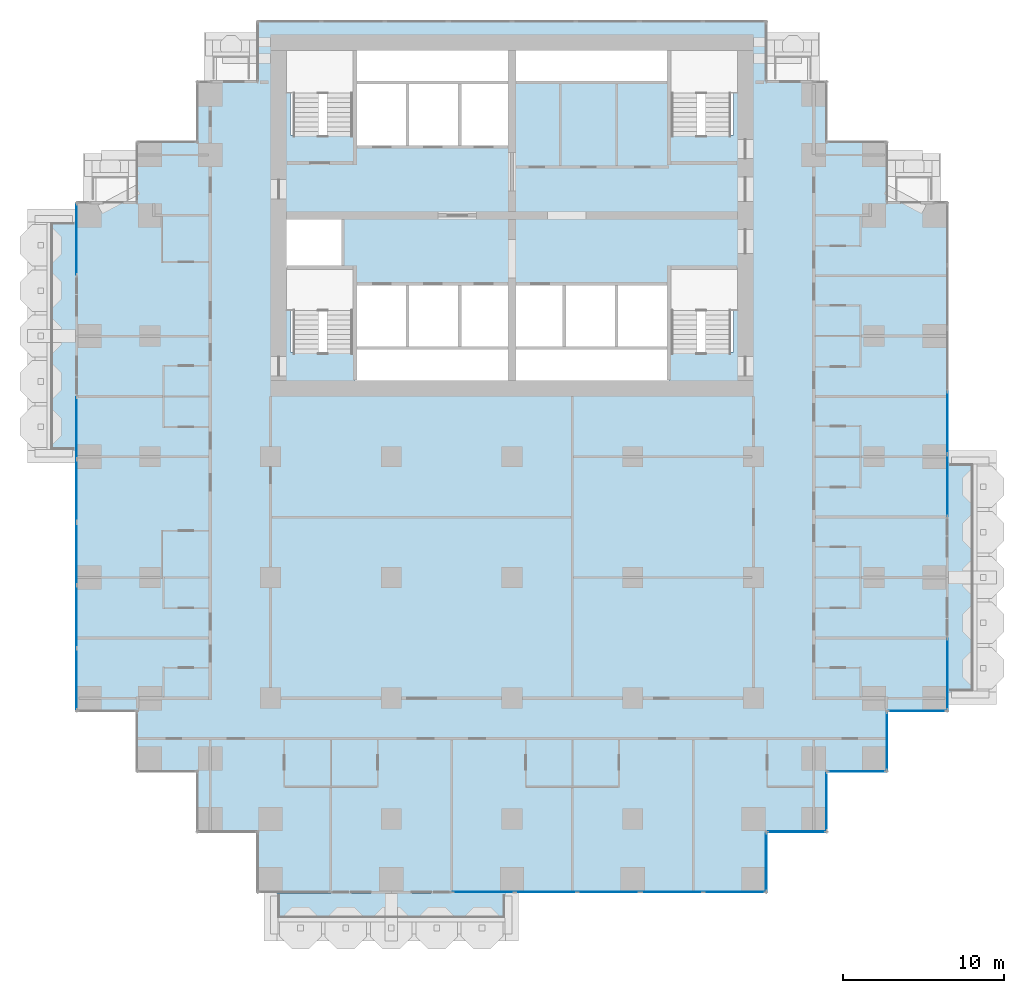
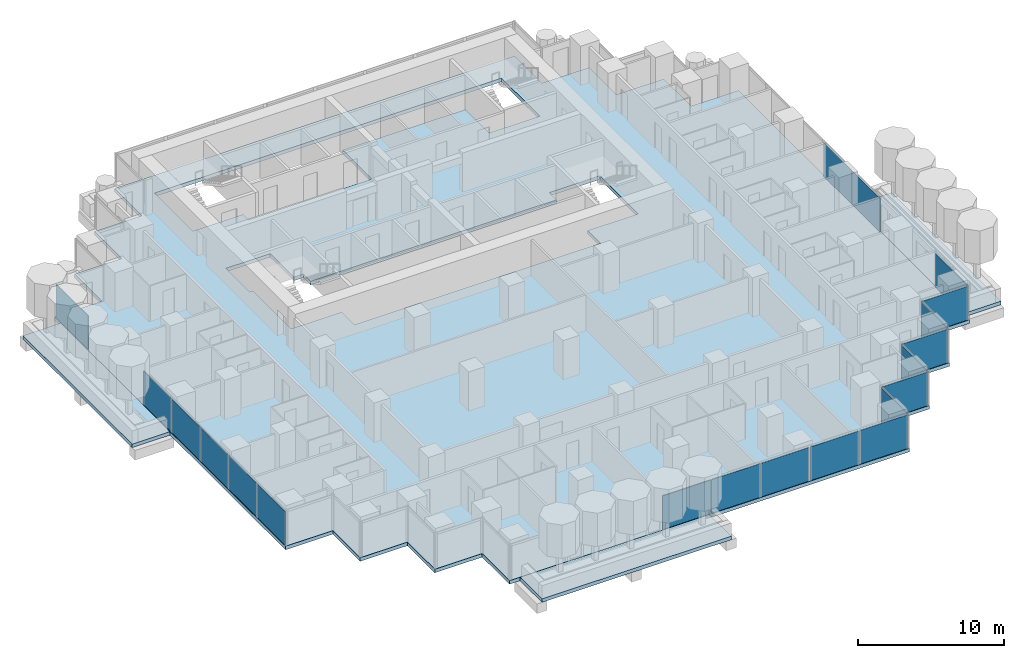
# One storey, part 8 of 18: 20 plates, 4 slabs, 13 elements without a shape of their own.
"""IFC4 building model written with IfcOpenShell, lengths in metres."""

from ifc_helpers import new_model, si_unit, direction, frame, origin, origin_2d, place, context, subcontext, project, spatial, polyline, rectangle, outline, extrude, material, layer, layer_set, type_object, element, aggregate, save


model = new_model("IFC4")

# Units and contexts
model_context = context("Model", 3, precision=1e-05, world=origin(), true_north=direction((0.0, 1.0)))
body_context = subcontext(model_context, "Body", "Model", "MODEL_VIEW")
ifc_project = project(units=[si_unit("LENGTHUNIT", "METRE"), si_unit("AREAUNIT", "SQUARE_METRE"), si_unit("VOLUMEUNIT", "CUBIC_METRE"), si_unit("PLANEANGLEUNIT", "RADIAN"), si_unit("MASSUNIT", "GRAM", prefix="KILO")], contexts=[model_context])

# Site, building, storey
site_placement = place(None, origin())
site = spatial("IfcSite", under=ifc_project, at=site_placement, CompositionType="ELEMENT")
building_placement = place(site_placement, origin())
building = spatial("IfcBuilding", under=site, at=building_placement, Name="Pilkhan Gate Tower", CompositionType="ELEMENT")
storey_placement = place(building_placement, frame((0.0, 0.0, 82.39990234375)))
storey = spatial("IfcBuildingStorey", under=building, at=storey_placement, Name="L19", CompositionType="ELEMENT", Elevation=82.39990234375)

# Slabs
ifc_material_1 = material(Name="Concrete C60/75", Category="concrete")
ifc_layer_1 = layer(ifc_material_1, 0.300048828125)
ifc_layer_set_1 = layer_set([ifc_layer_1], Name="Balcony tray slab TR300")
slab_type_1 = type_object("IfcSlabType", Name="Balcony tray slab TR300", PredefinedType="FLOOR", material=ifc_layer_set_1)
slab_1_placement = place(storey_placement, frame((0.0, 0.0, -0.2998046875)))
element("IfcSlab", 1, at=slab_1_placement, inside=storey, type_object=slab_type_1, Name="Balcony tray L19 S", PredefinedType="FLOOR", context=body_context, shape_type="SweptSolid", body=[
    extrude(outline(polyline([(75.0, 37.39990234375), (75.0, 40.39990234375), (60.0, 40.39990234375), (60.0, 37.39990234375), (75.0, 37.39990234375)])), origin(), (0.0, 0.0, 1.0), 0.2998046875),
])
slab_2_placement = place(storey_placement, frame((0.0, 0.0, -0.2998046875)))
element("IfcSlab", 2, at=slab_2_placement, inside=storey, type_object=slab_type_1, Name="Balcony tray L19 E", PredefinedType="FLOOR", context=body_context, shape_type="SweptSolid", body=[
    extrude(outline(polyline([(105.10009765625, 52.5), (105.10009765625, 67.5), (102.10009765625, 67.5), (102.10009765625, 52.5), (105.10009765625, 52.5)])), origin(), (0.0, 0.0, 1.0), 0.2998046875),
])
slab_3_placement = place(storey_placement, frame((0.0, 0.0, -0.2998046875)))
element("IfcSlab", 3, at=slab_3_placement, inside=storey, type_object=slab_type_1, Name="Balcony tray L19 W", PredefinedType="FLOOR", context=body_context, shape_type="SweptSolid", body=[
    extrude(outline(polyline([(47.89990234375, 67.5), (47.89990234375, 82.5), (44.89990234375, 82.5), (44.89990234375, 67.5), (47.89990234375, 67.5)])), origin(), (0.0, 0.0, 1.0), 0.2998046875),
])
ifc_material_2 = material(Name="Concrete C40/50", Category="concrete")
ifc_layer_2 = layer(ifc_material_2, 0.300048828125)
ifc_layer_set_2 = layer_set([ifc_layer_2], Name="Flat plate slab FP300")
slab_type_2 = type_object("IfcSlabType", Name="Flat plate slab FP300", PredefinedType="FLOOR", material=ifc_layer_set_2)
slab_4_placement = place(storey_placement, frame((0.0, 0.0, -0.2998046875)))
element("IfcSlab", 4, at=slab_4_placement, inside=storey, type_object=slab_type_2, Name="Floor slab L19", PredefinedType="FLOOR", context=body_context, shape_type="SweptSolid", body=[
    extrude(outline(polyline([(98.35009765625, 47.89990234375), (94.60009765625, 47.89990234375), (94.60009765625, 44.14990234375), (90.85009765625, 44.14990234375), (90.85009765625, 40.39990234375), (59.14990234375, 40.39990234375), (59.14990234375, 44.14990234375), (55.39990234375, 44.14990234375), (55.39990234375, 47.89990234375), (51.64990234375, 47.89990234375), (51.64990234375, 51.64990234375), (47.89990234375, 51.64990234375), (47.89990234375, 83.35009765625), (51.64990234375, 83.35009765625), (51.64990234375, 87.10009765625), (55.39990234375, 87.10009765625), (55.39990234375, 90.85009765625), (59.14990234375, 90.85009765625), (59.14990234375, 94.60009765625), (90.85009765625, 94.60009765625), (90.85009765625, 90.85009765625), (94.60009765625, 90.85009765625), (94.60009765625, 87.10009765625), (98.35009765625, 87.10009765625), (98.35009765625, 83.35009765625), (102.10009765625, 83.35009765625), (102.10009765625, 51.64990234375), (98.35009765625, 51.64990234375), (98.35009765625, 47.89990234375)]), holes=[polyline([(65.25, 87.5), (65.25, 86.75), (68.5, 86.75), (71.75, 86.75), (75.0, 86.75), (75.0, 90.75), (84.75, 90.75), (84.75, 87.5), (88.75, 87.5), (88.75, 92.75), (84.75, 92.75), (75.0, 92.75), (65.25, 92.75), (61.25, 92.75), (61.25, 87.5), (65.25, 87.5)]), polyline([(75.0, 72.25), (84.75, 72.25), (84.75, 74.0), (88.75, 74.0), (88.75, 79.25), (84.75, 79.25), (84.75, 78.25), (81.5, 78.25), (78.25, 78.25), (75.0, 78.25), (71.75, 78.25), (68.5, 78.25), (65.25, 78.25), (65.25, 79.25), (64.5, 79.25), (64.5, 82.5), (61.25, 82.5), (61.0, 82.5), (61.0, 79.25), (61.25, 79.25), (61.25, 74.0), (65.25, 74.0), (65.25, 72.25), (75.0, 72.25)])]), origin(), (0.0, 0.0, 1.0), 0.2998046875),
])

# Curtain wall, plate
ifc_material_3 = material(Name="Pale anodised aluminium, clear low-iron double glazing", Category="aluminium")
curtain_wall_type = type_object("IfcCurtainWallType", Name="Hotel unitised curtain wall CW-H", PredefinedType="USERDEFINED", material=ifc_material_3)
curtain_wall_1_placement = place(storey_placement, origin())
curtain_wall_1 = element("IfcCurtainWall", 5, at=curtain_wall_1_placement, inside=storey, type_object=curtain_wall_type, Name="Hotel unitised curtain wall CW-H L19 E", ObjectType="UNITISED CURTAIN WALL", PredefinedType="USERDEFINED")
ifc_material_4 = material(Name="Clear low-iron double glazing", Category="glass")
ifc_layer_3 = layer(ifc_material_4, 0.035888671875)
ifc_layer_set_3 = layer_set([ifc_layer_3], Name="Glass panel CW-H 36")
plate_type = type_object("IfcPlateType", Name="Glass panel CW-H 36", PredefinedType="CURTAIN_PANEL", material=ifc_layer_set_3)
plate_1_placement = place(storey_placement, frame((102.044921875, 53.9775390625, 0.0), z_axis=(0.0, 0.0, 1.0), x_axis=(0.0, 1.0, 0.0)))
plate_1 = element("IfcPlate", 6, at=plate_1_placement, type_object=plate_type, Name="CW-H panel 1", PredefinedType="CURTAIN_PANEL", context=body_context, shape_type="SweptSolid", body=[
    extrude(rectangle(XDim=4.4150390625, YDim=0.035888671875, at=origin_2d()), origin(), (0.0, 0.0, 1.0), 2.820068359375),
])
aggregate(curtain_wall_1, [plate_1])

# Curtain wall, plates
curtain_wall_2_placement = place(storey_placement, origin())
curtain_wall_2 = element("IfcCurtainWall", 7, at=curtain_wall_2_placement, inside=storey, type_object=curtain_wall_type, Name="Hotel unitised curtain wall CW-H L19 E", ObjectType="UNITISED CURTAIN WALL", PredefinedType="USERDEFINED")
plate_2_placement = place(storey_placement, frame((102.044921875, 65.720703125, 0.0), z_axis=(0.0, 0.0, 1.0), x_axis=(0.0, 1.0, 0.0)))
plate_2 = element("IfcPlate", 8, at=plate_2_placement, type_object=plate_type, Name="CW-H panel 1", PredefinedType="CURTAIN_PANEL", context=body_context, shape_type="SweptSolid", body=[
    extrude(rectangle(XDim=3.8115234375, YDim=0.035888671875, at=origin_2d()), origin(), (0.0, 0.0, 1.0), 2.820068359375),
])
plate_3_placement = place(storey_placement, frame((102.044921875, 69.613525390625, 0.0), z_axis=(0.0, 0.0, 1.0), x_axis=(0.0, 1.0, 0.0)))
plate_3 = element("IfcPlate", 9, at=plate_3_placement, type_object=plate_type, Name="CW-H panel 2", PredefinedType="CURTAIN_PANEL", context=body_context, shape_type="SweptSolid", body=[
    extrude(rectangle(XDim=3.843994140625, YDim=0.035888671875, at=origin_2d()), origin(), (0.0, 0.0, 1.0), 2.820068359375),
])
aggregate(curtain_wall_2, [plate_2, plate_3])

curtain_wall_3_placement = place(storey_placement, origin())
curtain_wall_3 = element("IfcCurtainWall", 10, at=curtain_wall_3_placement, inside=storey, type_object=curtain_wall_type, Name="Hotel unitised curtain wall CW-H L19 W", ObjectType="UNITISED CURTAIN WALL", PredefinedType="USERDEFINED")
plate_4_placement = place(storey_placement, frame((47.955078125, 53.67578125, 0.0), z_axis=(0.0, 0.0, 1.0), x_axis=(0.0, 1.0, 0.0)))
plate_4 = element("IfcPlate", 11, at=plate_4_placement, type_object=plate_type, Name="CW-H panel 1", PredefinedType="CURTAIN_PANEL", context=body_context, shape_type="SweptSolid", body=[
    extrude(rectangle(XDim=3.8115234375, YDim=0.035888671875, at=origin_2d()), origin(), (0.0, 0.0, 1.0), 2.820068359375),
])
plate_5_placement = place(storey_placement, frame((47.955078125, 57.568603515625, 0.0), z_axis=(0.0, 0.0, 1.0), x_axis=(0.0, 1.0, 0.0)))
plate_5 = element("IfcPlate", 12, at=plate_5_placement, type_object=plate_type, Name="CW-H panel 2", PredefinedType="CURTAIN_PANEL", context=body_context, shape_type="SweptSolid", body=[
    extrude(rectangle(XDim=3.843994140625, YDim=0.035888671875, at=origin_2d()), origin(), (0.0, 0.0, 1.0), 2.820068359375),
])
plate_6_placement = place(storey_placement, frame((47.955078125, 61.461181640625, 0.0), z_axis=(0.0, 0.0, 1.0), x_axis=(0.0, 1.0, 0.0)))
plate_6 = element("IfcPlate", 13, at=plate_6_placement, type_object=plate_type, Name="CW-H panel 3", PredefinedType="CURTAIN_PANEL", context=body_context, shape_type="SweptSolid", body=[
    extrude(rectangle(XDim=3.8115234375, YDim=0.035888671875, at=origin_2d()), origin(), (0.0, 0.0, 1.0), 2.820068359375),
])
aggregate(curtain_wall_3, [plate_4, plate_5, plate_6])

curtain_wall_4_placement = place(storey_placement, origin())
curtain_wall_4 = element("IfcCurtainWall", 14, at=curtain_wall_4_placement, inside=storey, type_object=curtain_wall_type, Name="Hotel unitised curtain wall CW-H L19 W", ObjectType="UNITISED CURTAIN WALL", PredefinedType="USERDEFINED")
plate_7_placement = place(storey_placement, frame((47.955078125, 65.40283203125, 0.0), z_axis=(0.0, 0.0, 1.0), x_axis=(0.0, 1.0, 0.0)))
plate_7 = element("IfcPlate", 15, at=plate_7_placement, type_object=plate_type, Name="CW-H panel 1", PredefinedType="CURTAIN_PANEL", context=body_context, shape_type="SweptSolid", body=[
    extrude(rectangle(XDim=3.8115234375, YDim=0.035888671875, at=origin_2d()), origin(), (0.0, 0.0, 1.0), 2.820068359375),
])
plate_8_placement = place(storey_placement, frame((47.955078125, 69.279296875, 0.0), z_axis=(0.0, 0.0, 1.0), x_axis=(0.0, 1.0, 0.0)))
plate_8 = element("IfcPlate", 16, at=plate_8_placement, type_object=plate_type, Name="CW-H panel 2", PredefinedType="CURTAIN_PANEL", context=body_context, shape_type="SweptSolid", body=[
    extrude(rectangle(XDim=3.8115234375, YDim=0.035888671875, at=origin_2d()), origin(), (0.0, 0.0, 1.0), 2.820068359375),
])
aggregate(curtain_wall_4, [plate_7, plate_8])

# Curtain wall, plate
curtain_wall_5_placement = place(storey_placement, origin())
curtain_wall_5 = element("IfcCurtainWall", 17, at=curtain_wall_5_placement, inside=storey, type_object=curtain_wall_type, Name="Hotel unitised curtain wall CW-H L19 W", ObjectType="UNITISED CURTAIN WALL", PredefinedType="USERDEFINED")
plate_9_placement = place(storey_placement, frame((47.955078125, 81.0224609375, 0.0), z_axis=(0.0, 0.0, 1.0), x_axis=(0.0, 1.0, 0.0)))
plate_9 = element("IfcPlate", 18, at=plate_9_placement, type_object=plate_type, Name="CW-H panel 1", PredefinedType="CURTAIN_PANEL", context=body_context, shape_type="SweptSolid", body=[
    extrude(rectangle(XDim=4.4150390625, YDim=0.035888671875, at=origin_2d()), origin(), (0.0, 0.0, 1.0), 2.820068359375),
])
aggregate(curtain_wall_5, [plate_9])

# Curtain wall, plates
curtain_wall_6_placement = place(storey_placement, origin())
curtain_wall_6 = element("IfcCurtainWall", 19, at=curtain_wall_6_placement, inside=storey, type_object=curtain_wall_type, Name="Hotel unitised curtain wall CW-H L19 S", ObjectType="UNITISED CURTAIN WALL", PredefinedType="USERDEFINED")
plate_10_placement = place(storey_placement, frame((73.220703125, 40.455078125, 0.0), z_axis=(0.0, 0.0, 1.0), x_axis=(1.0, 0.0, 0.0)))
plate_10 = element("IfcPlate", 20, at=plate_10_placement, type_object=plate_type, Name="CW-H panel 1", PredefinedType="CURTAIN_PANEL", context=body_context, shape_type="SweptSolid", body=[
    extrude(rectangle(XDim=3.8115234375, YDim=0.035888671875, at=origin_2d()), origin(), (0.0, 0.0, 1.0), 2.820068359375),
])
plate_11_placement = place(storey_placement, frame((77.113525390625, 40.455078125, 0.0), z_axis=(0.0, 0.0, 1.0), x_axis=(1.0, 0.0, 0.0)))
plate_11 = element("IfcPlate", 21, at=plate_11_placement, type_object=plate_type, Name="CW-H panel 2", PredefinedType="CURTAIN_PANEL", context=body_context, shape_type="SweptSolid", body=[
    extrude(rectangle(XDim=3.843994140625, YDim=0.035888671875, at=origin_2d()), origin(), (0.0, 0.0, 1.0), 2.820068359375),
])
plate_12_placement = place(storey_placement, frame((81.00634765625, 40.455078125, 0.0), z_axis=(0.0, 0.0, 1.0), x_axis=(1.0, 0.0, 0.0)))
plate_12 = element("IfcPlate", 22, at=plate_12_placement, type_object=plate_type, Name="CW-H panel 3", PredefinedType="CURTAIN_PANEL", context=body_context, shape_type="SweptSolid", body=[
    extrude(rectangle(XDim=3.8115234375, YDim=0.035888671875, at=origin_2d()), origin(), (0.0, 0.0, 1.0), 2.820068359375),
])
aggregate(curtain_wall_6, [plate_10, plate_11, plate_12])

curtain_wall_7_placement = place(storey_placement, origin())
curtain_wall_7 = element("IfcCurtainWall", 23, at=curtain_wall_7_placement, inside=storey, type_object=curtain_wall_type, Name="Hotel unitised curtain wall CW-H L19 S", ObjectType="UNITISED CURTAIN WALL", PredefinedType="USERDEFINED")
plate_13_placement = place(storey_placement, frame((84.94775390625, 40.455078125, 0.0), z_axis=(0.0, 0.0, 1.0), x_axis=(1.0, 0.0, 0.0)))
plate_13 = element("IfcPlate", 24, at=plate_13_placement, type_object=plate_type, Name="CW-H panel 1", PredefinedType="CURTAIN_PANEL", context=body_context, shape_type="SweptSolid", body=[
    extrude(rectangle(XDim=3.8115234375, YDim=0.035888671875, at=origin_2d()), origin(), (0.0, 0.0, 1.0), 2.820068359375),
])
plate_14_placement = place(storey_placement, frame((88.82421875, 40.455078125, 0.0), z_axis=(0.0, 0.0, 1.0), x_axis=(1.0, 0.0, 0.0)))
plate_14 = element("IfcPlate", 25, at=plate_14_placement, type_object=plate_type, Name="CW-H panel 2", PredefinedType="CURTAIN_PANEL", context=body_context, shape_type="SweptSolid", body=[
    extrude(rectangle(XDim=3.8115234375, YDim=0.035888671875, at=origin_2d()), origin(), (0.0, 0.0, 1.0), 2.820068359375),
])
aggregate(curtain_wall_7, [plate_13, plate_14])

# Curtain wall, plate
curtain_wall_8_placement = place(storey_placement, origin())
curtain_wall_8 = element("IfcCurtainWall", 26, at=curtain_wall_8_placement, inside=storey, type_object=curtain_wall_type, Name="Hotel unitised curtain wall CW-H L19 E", ObjectType="UNITISED CURTAIN WALL", PredefinedType="USERDEFINED")
plate_15_placement = place(storey_placement, frame((90.794921875, 42.330078125, 0.0), z_axis=(0.0, 0.0, 1.0), x_axis=(0.0, 1.0, 0.0)))
plate_15 = element("IfcPlate", 27, at=plate_15_placement, type_object=plate_type, Name="CW-H panel 1", PredefinedType="CURTAIN_PANEL", context=body_context, shape_type="SweptSolid", body=[
    extrude(rectangle(XDim=3.6201171875, YDim=0.035888671875, at=origin_2d()), origin(), (0.0, 0.0, 1.0), 2.820068359375),
])
aggregate(curtain_wall_8, [plate_15])

curtain_wall_9_placement = place(storey_placement, origin())
curtain_wall_9 = element("IfcCurtainWall", 28, at=curtain_wall_9_placement, inside=storey, type_object=curtain_wall_type, Name="Hotel unitised curtain wall CW-H L19 S", ObjectType="UNITISED CURTAIN WALL", PredefinedType="USERDEFINED")
plate_16_placement = place(storey_placement, frame((92.669921875, 44.205078125, 0.0), z_axis=(0.0, 0.0, 1.0), x_axis=(1.0, 0.0, 0.0)))
plate_16 = element("IfcPlate", 29, at=plate_16_placement, type_object=plate_type, Name="CW-H panel 1", PredefinedType="CURTAIN_PANEL", context=body_context, shape_type="SweptSolid", body=[
    extrude(rectangle(XDim=3.6201171875, YDim=0.035888671875, at=origin_2d()), origin(), (0.0, 0.0, 1.0), 2.820068359375),
])
aggregate(curtain_wall_9, [plate_16])

curtain_wall_10_placement = place(storey_placement, origin())
curtain_wall_10 = element("IfcCurtainWall", 30, at=curtain_wall_10_placement, inside=storey, type_object=curtain_wall_type, Name="Hotel unitised curtain wall CW-H L19 E", ObjectType="UNITISED CURTAIN WALL", PredefinedType="USERDEFINED")
plate_17_placement = place(storey_placement, frame((94.544921875, 46.080078125, 0.0), z_axis=(0.0, 0.0, 1.0), x_axis=(0.0, 1.0, 0.0)))
plate_17 = element("IfcPlate", 31, at=plate_17_placement, type_object=plate_type, Name="CW-H panel 1", PredefinedType="CURTAIN_PANEL", context=body_context, shape_type="SweptSolid", body=[
    extrude(rectangle(XDim=3.6201171875, YDim=0.035888671875, at=origin_2d()), origin(), (0.0, 0.0, 1.0), 2.820068359375),
])
aggregate(curtain_wall_10, [plate_17])

curtain_wall_11_placement = place(storey_placement, origin())
curtain_wall_11 = element("IfcCurtainWall", 32, at=curtain_wall_11_placement, inside=storey, type_object=curtain_wall_type, Name="Hotel unitised curtain wall CW-H L19 S", ObjectType="UNITISED CURTAIN WALL", PredefinedType="USERDEFINED")
plate_18_placement = place(storey_placement, frame((96.419921875, 47.955078125, 0.0), z_axis=(0.0, 0.0, 1.0), x_axis=(1.0, 0.0, 0.0)))
plate_18 = element("IfcPlate", 33, at=plate_18_placement, type_object=plate_type, Name="CW-H panel 1", PredefinedType="CURTAIN_PANEL", context=body_context, shape_type="SweptSolid", body=[
    extrude(rectangle(XDim=3.6201171875, YDim=0.035888671875, at=origin_2d()), origin(), (0.0, 0.0, 1.0), 2.820068359375),
])
aggregate(curtain_wall_11, [plate_18])

curtain_wall_12_placement = place(storey_placement, origin())
curtain_wall_12 = element("IfcCurtainWall", 34, at=curtain_wall_12_placement, inside=storey, type_object=curtain_wall_type, Name="Hotel unitised curtain wall CW-H L19 E", ObjectType="UNITISED CURTAIN WALL", PredefinedType="USERDEFINED")
plate_19_placement = place(storey_placement, frame((98.294921875, 49.830078125, 0.0), z_axis=(0.0, 0.0, 1.0), x_axis=(0.0, 1.0, 0.0)))
plate_19 = element("IfcPlate", 35, at=plate_19_placement, type_object=plate_type, Name="CW-H panel 1", PredefinedType="CURTAIN_PANEL", context=body_context, shape_type="SweptSolid", body=[
    extrude(rectangle(XDim=3.6201171875, YDim=0.035888671875, at=origin_2d()), origin(), (0.0, 0.0, 1.0), 2.820068359375),
])
aggregate(curtain_wall_12, [plate_19])

curtain_wall_13_placement = place(storey_placement, origin())
curtain_wall_13 = element("IfcCurtainWall", 36, at=curtain_wall_13_placement, inside=storey, type_object=curtain_wall_type, Name="Hotel unitised curtain wall CW-H L19 S", ObjectType="UNITISED CURTAIN WALL", PredefinedType="USERDEFINED")
plate_20_placement = place(storey_placement, frame((100.169921875, 51.705078125, 0.0), z_axis=(0.0, 0.0, 1.0), x_axis=(1.0, 0.0, 0.0)))
plate_20 = element("IfcPlate", 37, at=plate_20_placement, type_object=plate_type, Name="CW-H panel 1", PredefinedType="CURTAIN_PANEL", context=body_context, shape_type="SweptSolid", body=[
    extrude(rectangle(XDim=3.6201171875, YDim=0.035888671875, at=origin_2d()), origin(), (0.0, 0.0, 1.0), 2.820068359375),
])
aggregate(curtain_wall_13, [plate_20])

save(model, "model.ifc")
